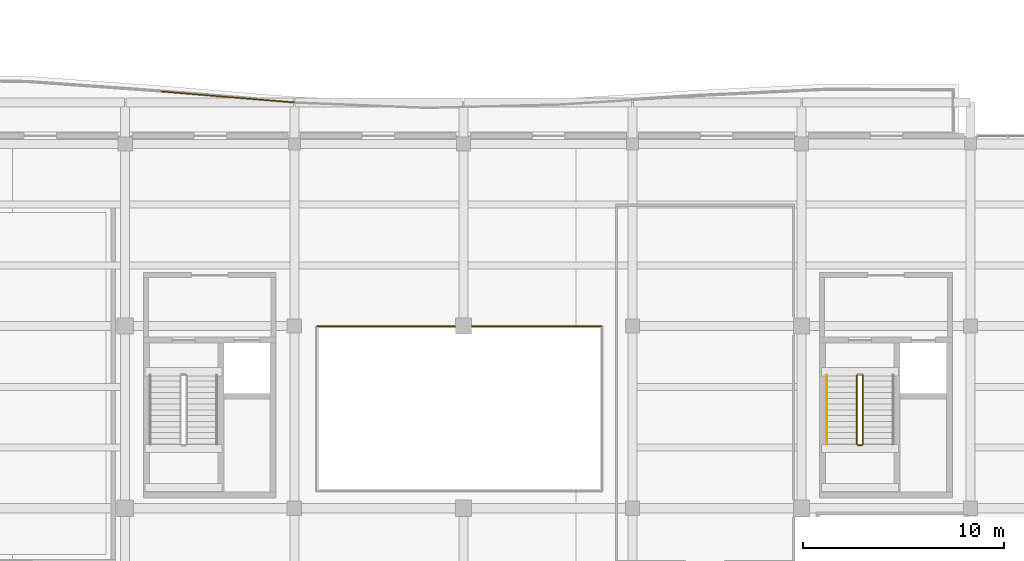
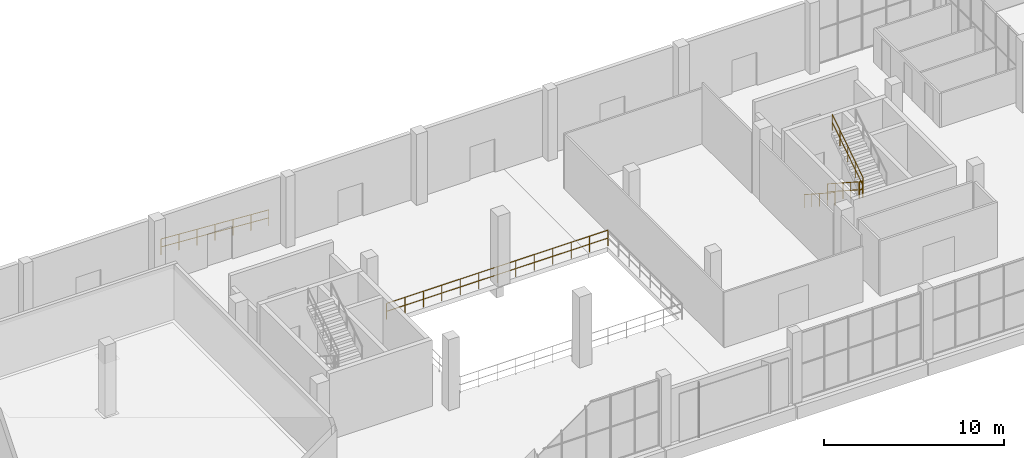
# One storey, part 71 of 80: 6 railings.
"""IFC4 building model written with IfcOpenShell, lengths in metres."""

from ifc_helpers import new_model, si_unit, direction, frame, origin, origin_2d, place, context, subcontext, project, spatial, circle, extrude, material, type_object, element, save


model = new_model("IFC4")

# Units and contexts
model_context = context("Model", 3, precision=1e-05, world=origin(), true_north=direction((0.0, 1.0)))
body_context = subcontext(model_context, "Body", "Model", "MODEL_VIEW")
ifc_project = project(units=[si_unit("LENGTHUNIT", "METRE"), si_unit("AREAUNIT", "SQUARE_METRE"), si_unit("VOLUMEUNIT", "CUBIC_METRE"), si_unit("PLANEANGLEUNIT", "RADIAN"), si_unit("MASSUNIT", "GRAM", prefix="KILO")], contexts=[model_context])

# Site, building, storey
site_placement = place(None, origin())
site = spatial("IfcSite", under=ifc_project, at=site_placement, CompositionType="ELEMENT")
building_placement = place(site_placement, origin())
building = spatial("IfcBuilding", under=site, at=building_placement, Name="Khurvash Pelagic Aquarium", CompositionType="ELEMENT")
storey_placement = place(building_placement, frame((0.0, 0.0, 10.800048828125)))
storey = spatial("IfcBuildingStorey", under=building, at=storey_placement, Name="L02", CompositionType="ELEMENT", Elevation=10.800048828125)

# Railings
ifc_material_1 = material(Name="Laminated glass and stainless steel 316", Category="steel")
railing_type_1 = type_object("IfcRailingType", Name="BL-01", PredefinedType="BALUSTRADE", material=ifc_material_1)
railing_1_placement = place(storey_placement, frame((60.577880859375, 32.35595703125, 0.0)))
element("IfcRailing", 1, at=railing_1_placement, inside=storey, type_object=railing_type_1, Name="L02 Planted Terrace Perimeter Balustrade BL-01 0021", PredefinedType="BALUSTRADE", context=body_context, shape_type="SweptSolid", body=[
    extrude(circle(Radius=0.02392578125, at=origin_2d()), frame((0.0, 0.0, 1.076171875), z_axis=(0.99658379405, -0.082587780195, 0.0), x_axis=(0.082587780195, 0.99658379405, 0.0)), (0.0, 0.0, 1.0), 6.621826171875),
    extrude(circle(Radius=0.02392578125, at=origin_2d()), frame((0.0, 0.0, 0.5380859375), z_axis=(0.99658379405, -0.082587780195, 0.0), x_axis=(0.082587780195, 0.99658379405, 0.0)), (0.0, 0.0, 1.0), 6.621826171875),
    extrude(circle(Radius=0.02099609375, at=origin_2d()), origin(), (0.0, 0.0, 1.0), 1.052001953125),
    extrude(circle(Radius=0.02099609375, at=origin_2d()), frame((1.099853515625, -0.091064453125, 0.0)), (0.0, 0.0, 1.0), 1.052001953125),
    extrude(circle(Radius=0.02099609375, at=origin_2d()), frame((2.19970703125, -0.182373046875, 0.0)), (0.0, 0.0, 1.0), 1.052001953125),
    extrude(circle(Radius=0.02099609375, at=origin_2d()), frame((3.299560546875, -0.2734375, 0.0)), (0.0, 0.0, 1.0), 1.052001953125),
    extrude(circle(Radius=0.02099609375, at=origin_2d()), frame((4.3994140625, -0.364501953125, 0.0)), (0.0, 0.0, 1.0), 1.052001953125),
    extrude(circle(Radius=0.02099609375, at=origin_2d()), frame((5.499267578125, -0.455810546875, 0.0)), (0.0, 0.0, 1.0), 1.052001953125),
    extrude(circle(Radius=0.02099609375, at=origin_2d()), frame((6.59912109375, -0.546875, 0.0)), (0.0, 0.0, 1.0), 1.052001953125),
])
ifc_material_2 = material(Name="Powder-coated galvanised steel S355J2", Category="steel")
railing_type_2 = type_object("IfcRailingType", Name="GR-01", PredefinedType="GUARDRAIL", material=ifc_material_2)
railing_2_placement = place(storey_placement, frame((95.14990234375, 18.25, 0.1845703125)))
element("IfcRailing", 2, at=railing_2_placement, inside=storey, type_object=railing_type_2, Name="L02 ST-03 stair guard 1", PredefinedType="GUARDRAIL", context=body_context, shape_type="SweptSolid", body=[
    extrude(circle(Radius=0.02392578125, at=origin_2d()), frame((0.0, 0.0, 1.076171875), z_axis=(0.0, -0.839296777647, 0.54367354086), x_axis=(1.0, 0.0, 0.0)), (0.0, 0.0, 1.0), 4.07470703125),
    extrude(circle(Radius=0.02392578125, at=origin_2d()), frame((0.0, 0.0, 0.5380859375), z_axis=(0.0, -0.839296777647, 0.54367354086), x_axis=(1.0, 0.0, 0.0)), (0.0, 0.0, 1.0), 4.07470703125),
    extrude(circle(Radius=0.02099609375, at=origin_2d()), origin(), (0.0, 0.0, 1.0), 1.052001953125),
    extrude(circle(Radius=0.02099609375, at=origin_2d()), frame((0.0, -0.85498046875, 0.5537109375)), (0.0, 0.0, 1.0), 1.052001953125),
    extrude(circle(Radius=0.02099609375, at=origin_2d()), frame((0.0, -1.7099609375, 1.107666015625)), (0.0, 0.0, 1.0), 1.052001953125),
    extrude(circle(Radius=0.02099609375, at=origin_2d()), frame((0.0, -2.56494140625, 1.66162109375)), (0.0, 0.0, 1.0), 1.052001953125),
    extrude(circle(Radius=0.02099609375, at=origin_2d()), frame((0.0, -3.419921875, 2.21533203125)), (0.0, 0.0, 1.0), 1.052001953125),
])
railing_3_placement = place(storey_placement, frame((95.199951171875, 14.780029296875, 2.39990234375)))
element("IfcRailing", 3, at=railing_3_placement, inside=storey, type_object=railing_type_2, Name="L02 ST-03 stair guard 2", PredefinedType="GUARDRAIL", context=body_context, shape_type="SweptSolid", body=[
    extrude(circle(Radius=0.02392578125, at=origin_2d()), frame((0.0, 0.0, 1.076171875), z_axis=(1.0, 0.0, 0.0), x_axis=(0.0, 1.0, 0.0)), (0.0, 0.0, 1.0), 0.199951171875),
    extrude(circle(Radius=0.02392578125, at=origin_2d()), frame((0.0, 0.0, 0.5380859375), z_axis=(1.0, 0.0, 0.0), x_axis=(0.0, 1.0, 0.0)), (0.0, 0.0, 1.0), 0.199951171875),
    extrude(circle(Radius=0.02099609375, at=origin_2d()), origin(), (0.0, 0.0, 1.0), 1.052001953125),
    extrude(circle(Radius=0.02099609375, at=origin_2d()), frame((0.199951171875, 0.0, 0.0)), (0.0, 0.0, 1.0), 1.052001953125),
])
railing_4_placement = place(storey_placement, frame((95.449951171875, 14.830078125, 2.58447265625)))
element("IfcRailing", 4, at=railing_4_placement, inside=storey, type_object=railing_type_2, Name="L02 ST-03 stair guard 3", PredefinedType="GUARDRAIL", context=body_context, shape_type="SweptSolid", body=[
    extrude(circle(Radius=0.02392578125, at=origin_2d()), frame((0.0, 0.0, 1.076171875), z_axis=(0.0, 0.839269437812, 0.543715744442), x_axis=(-1.0, 0.0, 0.0)), (0.0, 0.0, 1.0), 4.074951171875),
    extrude(circle(Radius=0.02392578125, at=origin_2d()), frame((0.0, 0.0, 0.5380859375), z_axis=(0.0, 0.839269437812, 0.543715744442), x_axis=(-1.0, 0.0, 0.0)), (0.0, 0.0, 1.0), 4.074951171875),
    extrude(circle(Radius=0.02099609375, at=origin_2d()), origin(), (0.0, 0.0, 1.0), 1.052001953125),
    extrude(circle(Radius=0.02099609375, at=origin_2d()), frame((0.0, 0.85498046875, 0.553955078125)), (0.0, 0.0, 1.0), 1.052001953125),
    extrude(circle(Radius=0.02099609375, at=origin_2d()), frame((0.0, 1.7099609375, 1.10791015625)), (0.0, 0.0, 1.0), 1.052001953125),
    extrude(circle(Radius=0.02099609375, at=origin_2d()), frame((0.0, 2.56494140625, 1.66162109375)), (0.0, 0.0, 1.0), 1.052001953125),
    extrude(circle(Radius=0.02099609375, at=origin_2d()), frame((0.0, 3.419921875, 2.215576171875)), (0.0, 0.0, 1.0), 1.052001953125),
])
railing_5_placement = place(storey_placement, frame((82.5, 20.699951171875, 0.0)))
element("IfcRailing", 5, at=railing_5_placement, inside=storey, type_object=railing_type_2, Name="L02 VOID_ATRIUM_L02 Mezzanine Edge Guardrail GR-01", PredefinedType="GUARDRAIL", context=body_context, shape_type="SweptSolid", body=[
    extrude(circle(Radius=0.02392578125, at=origin_2d()), frame((0.0, 0.0, 1.076171875), z_axis=(-1.0, 0.0, 0.0), x_axis=(0.0, -1.0, 0.0)), (0.0, 0.0, 1.0), 14.199951171875),
    extrude(circle(Radius=0.02392578125, at=origin_2d()), frame((0.0, 0.0, 0.5380859375), z_axis=(-1.0, 0.0, 0.0), x_axis=(0.0, -1.0, 0.0)), (0.0, 0.0, 1.0), 14.199951171875),
    extrude(circle(Radius=0.02099609375, at=origin_2d()), origin(), (0.0, 0.0, 1.0), 1.052001953125),
    extrude(circle(Radius=0.02099609375, at=origin_2d()), frame((-1.183349609375, 0.0, 0.0)), (0.0, 0.0, 1.0), 1.052001953125),
    extrude(circle(Radius=0.02099609375, at=origin_2d()), frame((-2.36669921875, 0.0, 0.0)), (0.0, 0.0, 1.0), 1.052001953125),
    extrude(circle(Radius=0.02099609375, at=origin_2d()), frame((-3.550048828125, 0.0, 0.0)), (0.0, 0.0, 1.0), 1.052001953125),
    extrude(circle(Radius=0.02099609375, at=origin_2d()), frame((-4.7333984375, 0.0, 0.0)), (0.0, 0.0, 1.0), 1.052001953125),
    extrude(circle(Radius=0.02099609375, at=origin_2d()), frame((-5.916748046875, 0.0, 0.0)), (0.0, 0.0, 1.0), 1.052001953125),
    extrude(circle(Radius=0.02099609375, at=origin_2d()), frame((-7.10009765625, 0.0, 0.0)), (0.0, 0.0, 1.0), 1.052001953125),
    extrude(circle(Radius=0.02099609375, at=origin_2d()), frame((-8.283203125, 0.0, 0.0)), (0.0, 0.0, 1.0), 1.052001953125),
    extrude(circle(Radius=0.02099609375, at=origin_2d()), frame((-9.466552734375, 0.0, 0.0)), (0.0, 0.0, 1.0), 1.052001953125),
    extrude(circle(Radius=0.02099609375, at=origin_2d()), frame((-10.64990234375, 0.0, 0.0)), (0.0, 0.0, 1.0), 1.052001953125),
    extrude(circle(Radius=0.02099609375, at=origin_2d()), frame((-11.833251953125, 0.0, 0.0)), (0.0, 0.0, 1.0), 1.052001953125),
    extrude(circle(Radius=0.02099609375, at=origin_2d()), frame((-13.0166015625, 0.0, 0.0)), (0.0, 0.0, 1.0), 1.052001953125),
    extrude(circle(Radius=0.02099609375, at=origin_2d()), frame((-14.199951171875, 0.0, 0.0)), (0.0, 0.0, 1.0), 1.052001953125),
])
ifc_material_3 = material(Name="Brushed stainless steel 316", Category="steel")
railing_type_3 = type_object("IfcRailingType", Name="HR-01", PredefinedType="HANDRAIL", material=ifc_material_3)
railing_6_placement = place(storey_placement, frame((93.64990234375, 18.25, 0.1845703125)))
element("IfcRailing", 6, at=railing_6_placement, inside=storey, type_object=railing_type_3, Name="L02 ST-03 stair handrail 1", PredefinedType="HANDRAIL", context=body_context, shape_type="SweptSolid", body=[
    extrude(circle(Radius=0.02392578125, at=origin_2d()), frame((0.0, 0.0, 0.8759765625), z_axis=(0.0, -0.839296777647, 0.54367354086), x_axis=(1.0, 0.0, 0.0)), (0.0, 0.0, 1.0), 4.07470703125),
    extrude(circle(Radius=0.02099609375, at=origin_2d()), origin(), (0.0, 0.0, 1.0), 0.851806640625),
    extrude(circle(Radius=0.02099609375, at=origin_2d()), frame((0.0, -0.85498046875, 0.5537109375)), (0.0, 0.0, 1.0), 0.851806640625),
    extrude(circle(Radius=0.02099609375, at=origin_2d()), frame((0.0, -1.7099609375, 1.107666015625)), (0.0, 0.0, 1.0), 0.851806640625),
    extrude(circle(Radius=0.02099609375, at=origin_2d()), frame((0.0, -2.56494140625, 1.66162109375)), (0.0, 0.0, 1.0), 0.851806640625),
    extrude(circle(Radius=0.02099609375, at=origin_2d()), frame((0.0, -3.419921875, 2.21533203125)), (0.0, 0.0, 1.0), 0.851806640625),
])

save(model, "model.ifc")
